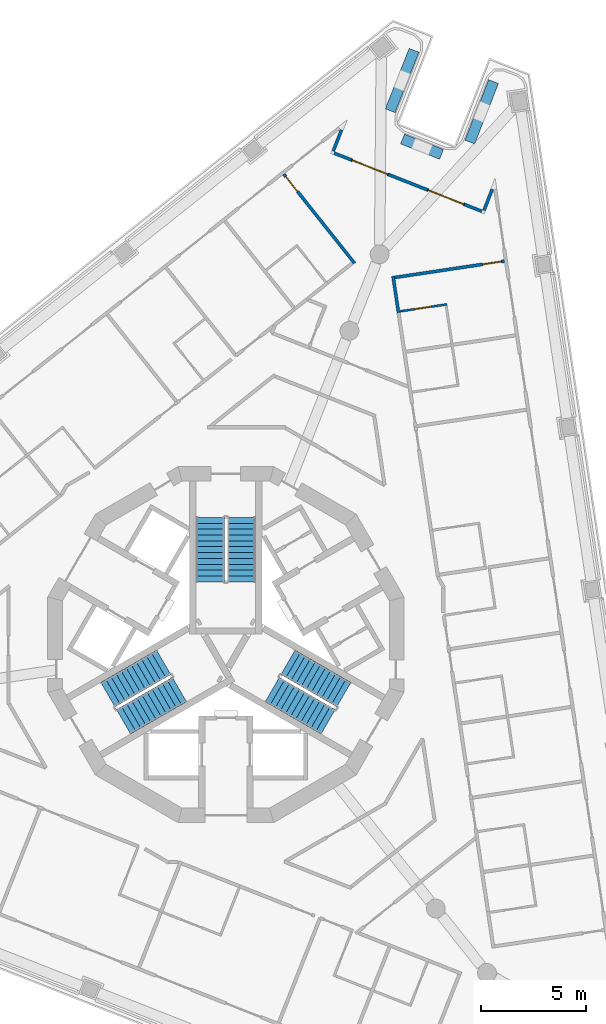
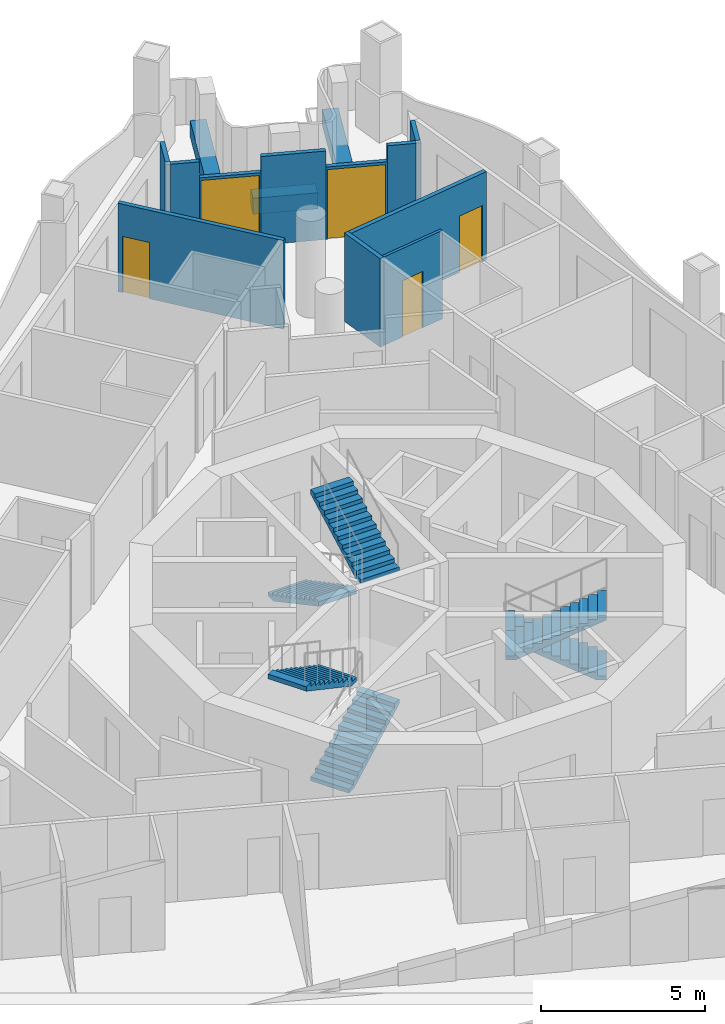
# One storey, part 9 of 16: 14 walls, 6 stair flights, 5 doors, 5 openings, 3 elements without a shape of their own.
"""IFC4 building model written with IfcOpenShell, lengths in metres."""

from ifc_helpers import new_model, si_unit, direction, frame, frame_2d, origin, place, context, subcontext, project, spatial, polyline, rectangle, outline, extrude, material, layer, layer_set, type_object, element, fill, aggregate, save


model = new_model("IFC4")

# Units and contexts
model_context = context("Model", 3, precision=1e-05, world=origin(), true_north=direction((0.0, 1.0)))
body_context = subcontext(model_context, "Body", "Model", "MODEL_VIEW")
ifc_project = project(units=[si_unit("LENGTHUNIT", "METRE"), si_unit("AREAUNIT", "SQUARE_METRE"), si_unit("VOLUMEUNIT", "CUBIC_METRE"), si_unit("PLANEANGLEUNIT", "RADIAN"), si_unit("MASSUNIT", "GRAM", prefix="KILO")], contexts=[model_context])

# Site, building, storey
site_placement = place(None, origin())
site = spatial("IfcSite", under=ifc_project, at=site_placement, CompositionType="ELEMENT")
building_placement = place(site_placement, origin())
building = spatial("IfcBuilding", under=site, at=building_placement, Name="Trine Commons Tower", CompositionType="ELEMENT")
storey_placement = place(building_placement, frame((0.0, 0.0, 219.60009765625)))
storey = spatial("IfcBuildingStorey", under=building, at=storey_placement, Name="L57", CompositionType="ELEMENT", Elevation=219.60009765625)

# Walls
ifc_material_1 = material(Name="Aluminium-framed insulated wall panel", Category="aluminium")
ifc_layer_1 = layer(ifc_material_1, 0.14990234375)
ifc_layer_set_1 = layer_set([ifc_layer_1], Name="Aluminium-framed insulated wall panel")
wall_type_1 = type_object("IfcWallType", Name="Glazed frame wall 150, EI 60", PredefinedType="SOLIDWALL", material=ifc_layer_set_1)
wall_1_placement = place(storey_placement, frame((85.575927734375, 87.201171875, 0.0), z_axis=(0.0, 0.0, 1.0), x_axis=(-0.366472142006, -0.930429024232, 0.0)))
element("IfcWall", 1, at=wall_1_placement, inside=storey, type_object=wall_type_1, Name="Glazed frame wall R2", PredefinedType="SOLIDWALL", context=body_context, shape_type="SweptSolid", body=[
    extrude(outline(polyline([(0.1494140625, 0.074951171875), (0.1494140625, -0.074951171875), (1.235107421875, -0.074951171875), (1.235107421875, 0.074951171875), (0.1494140625, 0.074951171875)])), origin(), (0.0, 0.0, 1.0), 3.2998046875),
])
wall_2_placement = place(storey_placement, frame((85.063232421875, 85.9951171875, 0.0), z_axis=(0.0, 0.0, 1.0), x_axis=(0.930433620143, -0.366460473323, 0.0)))
element("IfcWall", 2, at=wall_2_placement, inside=storey, type_object=wall_type_1, Name="Glazed frame wall P1.1", PredefinedType="SOLIDWALL", context=body_context, shape_type="SweptSolid", body=[
    extrude(outline(polyline([(0.110107421875, -0.074951171875), (1.0, -0.074951171875), (1.0, 0.074951171875), (0.110107421875, 0.074951171875), (0.110107421875, -0.074951171875)])), origin(), (0.0, 0.0, 1.0), 3.2998046875),
])

# Wall, opening, door
wall_3_placement = place(storey_placement, frame((85.99365234375, 85.628662109375, 0.0), z_axis=(0.0, 0.0, 1.0), x_axis=(0.930387146689, -0.366578446279, 0.0)))
wall_3 = element("IfcWall", 3, at=wall_3_placement, inside=storey, type_object=wall_type_1, Name="Glazed frame wall P1.2", PredefinedType="SOLIDWALL", context=body_context, shape_type="SweptSolid", body=[
    extrude(outline(polyline([(0.0, -0.074951171875), (1.89990234375, -0.074951171875), (1.89990234375, 0.074951171875), (0.0, 0.074951171875), (0.0, -0.074951171875)])), origin(), (0.0, 0.0, 1.0), 2.699951171875),
])
opening_1_placement = place(wall_3_placement, frame((0.050048828125, 0.0, 0.0)))
opening_1 = element("IfcOpeningElement", 4, at=opening_1_placement, cuts=wall_3, Name="Opening BD-6P1-01", PredefinedType="OPENING", context=body_context, shape_type="SweptSolid", body=[
    extrude(rectangle(XDim=1.800048828125, YDim=2.60009765625, at=frame_2d((0.89990234375, 1.300048828125))), frame((0.0, 0.0849609375, 0.0), z_axis=(0.0, -1.0, 0.0), x_axis=(1.0, 0.0, 0.0)), (0.0, 0.0, 1.0), 0.169921875),
])
ifc_material_2 = material(Name="Anodised aluminium frame with double glazing", Category="aluminium")
door_type_1 = type_object("IfcDoorType", Name="Sliding loggia door 1800x2600", OperationType="SLIDING_TO_LEFT", PredefinedType="DOOR", material=ifc_material_2)
door_1_placement = place(opening_1_placement, origin())
door_1 = element("IfcDoor", 5, at=door_1_placement, inside=storey, type_object=door_type_1, Name="Loggia door P1 1", OperationType="SLIDING_TO_LEFT", OverallHeight=2.60009765625, OverallWidth=1.800048828125, PredefinedType="DOOR", context=body_context, shape_type="SweptSolid", body=[
    extrude(rectangle(XDim=1.800048828125, YDim=2.60009765625, at=frame_2d((0.89990234375, 1.300048828125))), frame((0.0, 0.02490234375, 0.0), z_axis=(0.0, -1.0, 0.0), x_axis=(1.0, 0.0, 0.0)), (0.0, 0.0, 1.0), 0.050048828125),
])
fill(opening_1, door_1)

# Wall
wall_4_placement = place(storey_placement, frame((87.761474609375, 84.93212890625, 0.0), z_axis=(0.0, 0.0, 1.0), x_axis=(0.930433620143, -0.366460473323, 0.0)))
element("IfcWall", 6, at=wall_4_placement, inside=storey, type_object=wall_type_1, Name="Glazed frame wall P1.3", PredefinedType="SOLIDWALL", context=body_context, shape_type="SweptSolid", body=[
    extrude(outline(polyline([(0.0, -0.074951171875), (2.0, -0.074951171875), (2.0, 0.074951171875), (0.0, 0.074951171875), (0.0, -0.074951171875)])), origin(), (0.0, 0.0, 1.0), 3.2998046875),
])

# Wall, opening, door
wall_5_placement = place(storey_placement, frame((89.622314453125, 84.19921875, 0.0), z_axis=(0.0, 0.0, 1.0), x_axis=(0.930387146689, -0.366578446279, 0.0)))
wall_5 = element("IfcWall", 7, at=wall_5_placement, inside=storey, type_object=wall_type_1, Name="Glazed frame wall P1.4", PredefinedType="SOLIDWALL", context=body_context, shape_type="SweptSolid", body=[
    extrude(outline(polyline([(0.0, -0.074951171875), (1.89990234375, -0.074951171875), (1.89990234375, 0.074951171875), (0.0, 0.074951171875), (0.0, -0.074951171875)])), origin(), (0.0, 0.0, 1.0), 2.699951171875),
])
opening_2_placement = place(wall_5_placement, frame((0.050048828125, 0.0, 0.0)))
opening_2 = element("IfcOpeningElement", 8, at=opening_2_placement, cuts=wall_5, Name="Opening BD-6P1-02", PredefinedType="OPENING", context=body_context, shape_type="SweptSolid", body=[
    extrude(rectangle(XDim=1.800048828125, YDim=2.60009765625, at=frame_2d((0.89990234375, 1.300048828125))), frame((0.0, 0.0849609375, 0.0), z_axis=(0.0, -1.0, 0.0), x_axis=(1.0, 0.0, 0.0)), (0.0, 0.0, 1.0), 0.169921875),
])
door_2_placement = place(opening_2_placement, origin())
door_2 = element("IfcDoor", 9, at=door_2_placement, inside=storey, type_object=door_type_1, Name="Loggia door P1 2", OperationType="SLIDING_TO_LEFT", OverallHeight=2.60009765625, OverallWidth=1.800048828125, PredefinedType="DOOR", context=body_context, shape_type="SweptSolid", body=[
    extrude(rectangle(XDim=1.800048828125, YDim=2.60009765625, at=frame_2d((0.89990234375, 1.300048828125))), frame((0.0, 0.02490234375, 0.0), z_axis=(0.0, -1.0, 0.0), x_axis=(1.0, 0.0, 0.0)), (0.0, 0.0, 1.0), 0.050048828125),
])
fill(opening_2, door_2)

# Walls
wall_6_placement = place(storey_placement, frame((91.39013671875, 83.502685546875, 0.0), z_axis=(0.0, 0.0, 1.0), x_axis=(0.930433620143, -0.366460473323, 0.0)))
element("IfcWall", 10, at=wall_6_placement, inside=storey, type_object=wall_type_1, Name="Glazed frame wall P1.5", PredefinedType="SOLIDWALL", context=body_context, shape_type="SweptSolid", body=[
    extrude(outline(polyline([(0.889892578125, 0.074951171875), (0.0, 0.074951171875), (0.0, -0.074951171875), (0.889892578125, -0.074951171875), (0.889892578125, 0.074951171875)])), origin(), (0.0, 0.0, 1.0), 3.2998046875),
])
wall_7_placement = place(storey_placement, frame((92.275146484375, 83.11669921875, 0.0), z_axis=(0.0, 0.0, 1.0), x_axis=(0.366534042844, 0.9304046407, 0.0)))
element("IfcWall", 11, at=wall_7_placement, inside=storey, type_object=wall_type_1, Name="Glazed frame wall R4", PredefinedType="SOLIDWALL", context=body_context, shape_type="SweptSolid", body=[
    extrude(outline(polyline([(0.110107421875, 0.074951171875), (0.110107421875, -0.074951171875), (1.19580078125, -0.074951171875), (1.19580078125, 0.074951171875), (0.110107421875, 0.074951171875)])), origin(), (0.0, 0.0, 1.0), 3.2998046875),
])
ifc_material_3 = material(Name="Planter trough, precast concrete C40/50", Category="concrete")
ifc_layer_2 = layer(ifc_material_3, 0.5)
ifc_layer_set_2 = layer_set([ifc_layer_2], Name="Planter trough, precast concrete C40/50")
wall_type_2 = type_object("IfcWallType", Name="Planter trough 500x600", PredefinedType="PARAPET", material=ifc_layer_set_2)
wall_8_placement = place(storey_placement, frame((88.97998046875, 90.86328125, 0.0), z_axis=(0.0, 0.0, 1.0), x_axis=(-0.366456340628, -0.930435247835, 0.0)))
element("IfcWall", 12, at=wall_8_placement, inside=storey, type_object=wall_type_2, Name="Planter 4", PredefinedType="PARAPET", context=body_context, shape_type="SweptSolid", body=[
    extrude(rectangle(XDim=3.099853515625, YDim=0.5, at=frame_2d((1.5498046875, 0.0))), origin(), (0.0, 0.0, 1.0), 0.599853515625),
])
wall_9_placement = place(storey_placement, frame((88.430419921875, 86.630126953125, 0.0), z_axis=(0.0, 0.0, 1.0), x_axis=(0.930417223886, -0.366502100263, 0.0)))
element("IfcWall", 13, at=wall_9_placement, inside=storey, type_object=wall_type_2, Name="Planter 5", PredefinedType="PARAPET", context=body_context, shape_type="SweptSolid", body=[
    extrude(rectangle(XDim=1.999755859375, YDim=0.5, at=frame_2d((1.0, 0.0))), origin(), (0.0, 0.0, 1.0), 0.599853515625),
])
wall_10_placement = place(storey_placement, frame((91.639892578125, 86.483642578125, 0.0), z_axis=(0.0, 0.0, 1.0), x_axis=(0.366524518382, 0.930408392817, 0.0)))
element("IfcWall", 14, at=wall_10_placement, inside=storey, type_object=wall_type_2, Name="Planter 6", PredefinedType="PARAPET", context=body_context, shape_type="SweptSolid", body=[
    extrude(rectangle(XDim=3.10009765625, YDim=0.5, at=frame_2d((1.550048828125, 0.0))), origin(), (0.0, 0.0, 1.0), 0.599853515625),
])

# Wall, opening, door
ifc_material_4 = material(Name="Gypsum plasterboard on steel stud", Category="steel")
ifc_layer_3 = layer(ifc_material_4, 0.14990234375)
ifc_layer_set_3 = layer_set([ifc_layer_3], Name="Gypsum plasterboard on steel stud")
wall_type_3 = type_object("IfcWallType", Name="Unit and corridor wall 150 mm, EI 60", PredefinedType="PARTITIONING", material=ifc_layer_set_3)
wall_11_placement = place(storey_placement, frame((82.761962890625, 84.94970703125, 0.0), z_axis=(0.0, 0.0, 1.0), x_axis=(0.622457280045, -0.782653776915, 0.0)))
wall_11 = element("IfcWall", 15, at=wall_11_placement, inside=storey, type_object=wall_type_3, Name="Partition 061", PredefinedType="PARTITIONING", context=body_context, shape_type="SweptSolid", body=[
    extrude(rectangle(XDim=5.4345703125, YDim=0.14990234375, at=frame_2d((2.71728515625, 0.0))), origin(), (0.0, 0.0, 1.0), 3.2998046875),
])
opening_3_placement = place(wall_11_placement, frame((0.14990234375, 0.0, 0.0)))
opening_3 = element("IfcOpeningElement", 16, at=opening_3_placement, cuts=wall_11, Name="Opening D-6C11", PredefinedType="OPENING", context=body_context, shape_type="SweptSolid", body=[
    extrude(rectangle(XDim=0.89990234375, YDim=2.10009765625, at=frame_2d((0.449951171875, 1.050048828125))), frame((0.0, 0.0849609375, 0.0), z_axis=(0.0, -1.0, 0.0), x_axis=(1.0, 0.0, 0.0)), (0.0, 0.0, 1.0), 0.169921875),
])
ifc_material_5 = material(Name="Timber fire door set", Category="wood")
door_type_2 = type_object("IfcDoorType", Name="Bedroom door 900 x 2100, FD30S", OperationType="NOTDEFINED", PredefinedType="DOOR", material=ifc_material_5)
door_3_placement = place(opening_3_placement, frame((0.89990234375, 0.0, 0.0), z_axis=(0.0, 0.0, 1.0), x_axis=(-1.0, 0.0, 0.0)))
door_3 = element("IfcDoor", 17, at=door_3_placement, inside=storey, type_object=door_type_2, Name="Door D-6C11", OperationType="SINGLE_SWING_RIGHT", OverallHeight=2.10009765625, OverallWidth=0.89990234375, PredefinedType="DOOR", context=body_context, shape_type="SweptSolid", body=[
    extrude(rectangle(XDim=0.89990234375, YDim=2.10009765625, at=frame_2d((0.449951171875, 1.050048828125))), frame((0.0, 0.02490234375, 0.0), z_axis=(0.0, -1.0, 0.0), x_axis=(1.0, 0.0, 0.0)), (0.0, 0.0, 1.0), 0.050048828125),
])
fill(opening_3, door_3)

# Wall
wall_12_placement = place(storey_placement, frame((87.97900390625, 80.084228515625, 0.0), z_axis=(0.0, 0.0, 1.0), x_axis=(0.147576156068, -0.989050695445, 0.0)))
element("IfcWall", 18, at=wall_12_placement, inside=storey, type_object=wall_type_3, Name="Partition 083", PredefinedType="PARTITIONING", context=body_context, shape_type="SweptSolid", body=[
    extrude(rectangle(XDim=1.76513671875, YDim=0.14990234375, at=frame_2d((0.882568359375, 0.0))), origin(), (0.0, 0.0, 1.0), 3.2998046875),
])

# Wall, opening, door
wall_13_placement = place(storey_placement, frame((88.064208984375, 80.02099609375, 0.0), z_axis=(0.0, 0.0, 1.0), x_axis=(0.988994889639, 0.147949681543, 0.0)))
wall_13 = element("IfcWall", 19, at=wall_13_placement, inside=storey, type_object=wall_type_3, Name="Partition 084", PredefinedType="PARTITIONING", context=body_context, shape_type="SweptSolid", body=[
    extrude(rectangle(XDim=5.285400390625, YDim=0.14990234375, at=frame_2d((2.642578125, 0.0))), origin(), (0.0, 0.0, 1.0), 3.2998046875),
])
opening_4_placement = place(wall_13_placement, frame((4.2353515625, 0.0, 0.0)))
opening_4 = element("IfcOpeningElement", 20, at=opening_4_placement, cuts=wall_13, Name="Opening D-6C12", PredefinedType="OPENING", context=body_context, shape_type="SweptSolid", body=[
    extrude(rectangle(XDim=0.89990234375, YDim=2.10009765625, at=frame_2d((0.449951171875, 1.050048828125))), frame((0.0, 0.0849609375, 0.0), z_axis=(0.0, -1.0, 0.0), x_axis=(1.0, 0.0, 0.0)), (0.0, 0.0, 1.0), 0.169921875),
])
door_4_placement = place(opening_4_placement, frame((0.89990234375, 0.0, 0.0), z_axis=(0.0, 0.0, 1.0), x_axis=(-1.0, 0.0, 0.0)))
door_4 = element("IfcDoor", 21, at=door_4_placement, inside=storey, type_object=door_type_2, Name="Door D-6C12", OperationType="SINGLE_SWING_LEFT", OverallHeight=2.10009765625, OverallWidth=0.89990234375, PredefinedType="DOOR", context=body_context, shape_type="SweptSolid", body=[
    extrude(rectangle(XDim=0.89990234375, YDim=2.10009765625, at=frame_2d((0.449951171875, 1.050048828125))), frame((0.0, 0.02490234375, 0.0), z_axis=(0.0, -1.0, 0.0), x_axis=(1.0, 0.0, 0.0)), (0.0, 0.0, 1.0), 0.050048828125),
])
fill(opening_4, door_4)

ifc_layer_4 = layer(ifc_material_4, 0.10009765625)
ifc_layer_set_4 = layer_set([ifc_layer_4], Name="Gypsum plasterboard on steel stud")
wall_type_4 = type_object("IfcWallType", Name="Unit partition 100 mm, no rating", PredefinedType="PARTITIONING", material=ifc_layer_set_4)
wall_14_placement = place(storey_placement, frame((88.30615234375, 78.403076171875, 0.0), z_axis=(0.0, 0.0, 1.0), x_axis=(0.989007860101, 0.147862952286, 0.0)))
wall_14 = element("IfcWall", 22, at=wall_14_placement, inside=storey, type_object=wall_type_4, Name="Partition 086", PredefinedType="PARTITIONING", context=body_context, shape_type="SweptSolid", body=[
    extrude(rectangle(XDim=2.275146484375, YDim=0.10009765625, at=frame_2d((1.1376953125, 0.0))), origin(), (0.0, 0.0, 1.0), 3.2998046875),
])
opening_5_placement = place(wall_14_placement, frame((0.712646484375, 0.0, 0.0)))
opening_5 = element("IfcOpeningElement", 23, at=opening_5_placement, cuts=wall_14, Name="Opening D-6C35", PredefinedType="OPENING", context=body_context, shape_type="SweptSolid", body=[
    extrude(rectangle(XDim=0.800048828125, YDim=2.10009765625, at=frame_2d((0.39990234375, 1.050048828125))), frame((0.0, 0.06005859375, 0.0), z_axis=(0.0, -1.0, 0.0), x_axis=(1.0, 0.0, 0.0)), (0.0, 0.0, 1.0), 0.1201171875),
])
ifc_material_6 = material(Name="Painted timber", Category="wood")
door_type_3 = type_object("IfcDoorType", Name="Internal door 800 x 2100, NOT RATED", OperationType="NOTDEFINED", PredefinedType="DOOR", material=ifc_material_6)
door_5_placement = place(opening_5_placement, origin())
door_5 = element("IfcDoor", 24, at=door_5_placement, inside=storey, type_object=door_type_3, Name="Door D-6C35", OperationType="SINGLE_SWING_LEFT", OverallHeight=2.10009765625, OverallWidth=0.800048828125, PredefinedType="DOOR", context=body_context, shape_type="SweptSolid", body=[
    extrude(rectangle(XDim=0.800048828125, YDim=2.10009765625, at=frame_2d((0.39990234375, 1.050048828125))), frame((0.0, 0.02490234375, 0.0), z_axis=(0.0, -1.0, 0.0), x_axis=(1.0, 0.0, 0.0)), (0.0, 0.0, 1.0), 0.050048828125),
])
fill(opening_5, door_5)

# Stair, stair flights
ifc_material_7 = material(Name="Concrete C50/60", Category="concrete")
stair_type = type_object("IfcStairType", Name="Exit stair, dog-leg, 24 risers of 150 mm", PredefinedType="HALF_TURN_STAIR", material=ifc_material_7)
stair_1_placement = place(storey_placement, origin())
stair_1 = element("IfcStair", 25, at=stair_1_placement, inside=storey, type_object=stair_type, Name="L57 Exit stair ST1C", PredefinedType="HALF_TURN_STAIR")
stair_flight_type = type_object("IfcStairFlightType", Name="Stair flight, 1350 wide, 12 risers of 150 mm", PredefinedType="STRAIGHT", material=ifc_material_7)
stair_flight_1_placement = place(storey_placement, frame((79.25, 68.570556640625, 0.0), z_axis=(0.0, 0.0, 1.0), x_axis=(0.0, -1.0, 0.0)))
stair_flight_1 = element("IfcStairFlight", 26, at=stair_flight_1_placement, type_object=stair_flight_type, Name="ST1C flight 1", NumberOfRisers=12, NumberOfTreads=11, PredefinedType="STRAIGHT", RiserHeight=0.15, TreadLength=0.28, context=body_context, shape_type="SweptSolid", body=[
    extrude(outline(polyline([(0.0, 0.0), (0.0, 0.14990234375), (0.280029296875, 0.14990234375), (0.280029296875, 0.300048828125), (0.56005859375, 0.300048828125), (0.56005859375, 0.449951171875), (0.840087890625, 0.449951171875), (0.840087890625, 0.60009765625), (1.1201171875, 0.60009765625), (1.1201171875, 0.75), (1.39990234375, 0.75), (1.39990234375, 0.89990234375), (1.679931640625, 0.89990234375), (1.679931640625, 1.050048828125), (1.9599609375, 1.050048828125), (1.9599609375, 1.199951171875), (2.239990234375, 1.199951171875), (2.239990234375, 1.35009765625), (2.52001953125, 1.35009765625), (2.52001953125, 1.5), (2.800048828125, 1.5), (2.800048828125, 1.64990234375), (3.080078125, 1.64990234375), (3.080078125, 1.800048828125), (3.080078125, 1.47998046875), (0.3173828125, 0.0), (0.0, 0.0)])), frame((0.0, 0.675048828125, 0.0), z_axis=(0.0, -1.0, 0.0), x_axis=(1.0, 0.0, 0.0)), (0.0, 0.0, 1.0), 1.35009765625),
])
stair_flight_2_placement = place(storey_placement, frame((80.75, 65.490478515625, 1.7998046875), z_axis=(0.0, 0.0, 1.0), x_axis=(0.0, 1.0, 0.0)))
stair_flight_2 = element("IfcStairFlight", 27, at=stair_flight_2_placement, type_object=stair_flight_type, Name="ST1C flight 2", NumberOfRisers=12, NumberOfTreads=11, PredefinedType="STRAIGHT", RiserHeight=0.15, TreadLength=0.28, context=body_context, shape_type="SweptSolid", body=[
    extrude(outline(polyline([(0.0, 0.0), (0.0, 0.14990234375), (0.280029296875, 0.14990234375), (0.280029296875, 0.300048828125), (0.56005859375, 0.300048828125), (0.56005859375, 0.449951171875), (0.840087890625, 0.449951171875), (0.840087890625, 0.60009765625), (1.1201171875, 0.60009765625), (1.1201171875, 0.75), (1.39990234375, 0.75), (1.39990234375, 0.89990234375), (1.679931640625, 0.89990234375), (1.679931640625, 1.050048828125), (1.9599609375, 1.050048828125), (1.9599609375, 1.199951171875), (2.239990234375, 1.199951171875), (2.239990234375, 1.35009765625), (2.52001953125, 1.35009765625), (2.52001953125, 1.5), (2.800048828125, 1.5), (2.800048828125, 1.64990234375), (3.080078125, 1.64990234375), (3.080078125, 1.800048828125), (3.080078125, 1.47998046875), (0.3173828125, 0.0), (0.0, 0.0)])), frame((0.0, 0.675048828125, 0.0), z_axis=(0.0, -1.0, 0.0), x_axis=(1.0, 0.0, 0.0)), (0.0, 0.0, 1.0), 1.35009765625),
])
aggregate(stair_1, [stair_flight_1, stair_flight_2])

stair_2_placement = place(storey_placement, origin())
stair_2 = element("IfcStair", 28, at=stair_2_placement, inside=storey, type_object=stair_type, Name="L57 Exit stair ST2C", PredefinedType="HALF_TURN_STAIR")
stair_flight_3_placement = place(storey_placement, frame((75.11767578125, 58.815185546875, 0.0), z_axis=(0.0, 0.0, 1.0), x_axis=(0.866025403784, 0.5, 0.0)))
stair_flight_3 = element("IfcStairFlight", 29, at=stair_flight_3_placement, type_object=stair_flight_type, Name="ST2C flight 1", NumberOfRisers=12, NumberOfTreads=11, PredefinedType="STRAIGHT", RiserHeight=0.15, TreadLength=0.28, context=body_context, shape_type="SweptSolid", body=[
    extrude(outline(polyline([(0.0, 0.0), (0.0, 0.14990234375), (0.280029296875, 0.14990234375), (0.280029296875, 0.300048828125), (0.56005859375, 0.300048828125), (0.56005859375, 0.449951171875), (0.840087890625, 0.449951171875), (0.840087890625, 0.60009765625), (1.1201171875, 0.60009765625), (1.1201171875, 0.75), (1.39990234375, 0.75), (1.39990234375, 0.89990234375), (1.679931640625, 0.89990234375), (1.679931640625, 1.050048828125), (1.9599609375, 1.050048828125), (1.9599609375, 1.199951171875), (2.239990234375, 1.199951171875), (2.239990234375, 1.35009765625), (2.52001953125, 1.35009765625), (2.52001953125, 1.5), (2.800048828125, 1.5), (2.800048828125, 1.64990234375), (3.080078125, 1.64990234375), (3.080078125, 1.800048828125), (3.080078125, 1.47998046875), (0.3173828125, 0.0), (0.0, 0.0)])), frame((0.0, 0.675048828125, 0.0), z_axis=(0.0, -1.0, 0.0), x_axis=(1.0, 0.0, 0.0)), (0.0, 0.0, 1.0), 1.35009765625),
])
stair_flight_4_placement = place(storey_placement, frame((77.03515625, 61.654296875, 1.7998046875), z_axis=(0.0, 0.0, 1.0), x_axis=(-0.866025403784, -0.5, 0.0)))
stair_flight_4 = element("IfcStairFlight", 30, at=stair_flight_4_placement, type_object=stair_flight_type, Name="ST2C flight 2", NumberOfRisers=12, NumberOfTreads=11, PredefinedType="STRAIGHT", RiserHeight=0.15, TreadLength=0.28, context=body_context, shape_type="SweptSolid", body=[
    extrude(outline(polyline([(0.0, 0.0), (0.0, 0.14990234375), (0.280029296875, 0.14990234375), (0.280029296875, 0.300048828125), (0.56005859375, 0.300048828125), (0.56005859375, 0.449951171875), (0.840087890625, 0.449951171875), (0.840087890625, 0.60009765625), (1.1201171875, 0.60009765625), (1.1201171875, 0.75), (1.39990234375, 0.75), (1.39990234375, 0.89990234375), (1.679931640625, 0.89990234375), (1.679931640625, 1.050048828125), (1.9599609375, 1.050048828125), (1.9599609375, 1.199951171875), (2.239990234375, 1.199951171875), (2.239990234375, 1.35009765625), (2.52001953125, 1.35009765625), (2.52001953125, 1.5), (2.800048828125, 1.5), (2.800048828125, 1.64990234375), (3.080078125, 1.64990234375), (3.080078125, 1.800048828125), (3.080078125, 1.47998046875), (0.3173828125, 0.0), (0.0, 0.0)])), frame((0.0, 0.675048828125, 0.0), z_axis=(0.0, -1.0, 0.0), x_axis=(1.0, 0.0, 0.0)), (0.0, 0.0, 1.0), 1.35009765625),
])
aggregate(stair_2, [stair_flight_3, stair_flight_4])

stair_3_placement = place(storey_placement, origin())
stair_3 = element("IfcStair", 31, at=stair_3_placement, inside=storey, type_object=stair_type, Name="L57 Exit stair ST3C", PredefinedType="HALF_TURN_STAIR")
stair_flight_5_placement = place(storey_placement, frame((85.63232421875, 60.1142578125, 0.0), z_axis=(0.0, 0.0, 1.0), x_axis=(-0.866025403784, 0.5, 0.0)))
stair_flight_5 = element("IfcStairFlight", 32, at=stair_flight_5_placement, type_object=stair_flight_type, Name="ST3C flight 1", NumberOfRisers=12, NumberOfTreads=11, PredefinedType="STRAIGHT", RiserHeight=0.15, TreadLength=0.28, context=body_context, shape_type="SweptSolid", body=[
    extrude(outline(polyline([(0.0, 0.0), (0.0, 0.14990234375), (0.280029296875, 0.14990234375), (0.280029296875, 0.300048828125), (0.56005859375, 0.300048828125), (0.56005859375, 0.449951171875), (0.840087890625, 0.449951171875), (0.840087890625, 0.60009765625), (1.1201171875, 0.60009765625), (1.1201171875, 0.75), (1.39990234375, 0.75), (1.39990234375, 0.89990234375), (1.679931640625, 0.89990234375), (1.679931640625, 1.050048828125), (1.9599609375, 1.050048828125), (1.9599609375, 1.199951171875), (2.239990234375, 1.199951171875), (2.239990234375, 1.35009765625), (2.52001953125, 1.35009765625), (2.52001953125, 1.5), (2.800048828125, 1.5), (2.800048828125, 1.64990234375), (3.080078125, 1.64990234375), (3.080078125, 1.800048828125), (3.080078125, 1.47998046875), (0.3173828125, 0.0), (0.0, 0.0)])), frame((0.0, 0.675048828125, 0.0), z_axis=(0.0, -1.0, 0.0), x_axis=(1.0, 0.0, 0.0)), (0.0, 0.0, 1.0), 1.35009765625),
])
stair_flight_6_placement = place(storey_placement, frame((82.21484375, 60.355224609375, 1.7998046875), z_axis=(0.0, 0.0, 1.0), x_axis=(0.866025403784, -0.5, 0.0)))
stair_flight_6 = element("IfcStairFlight", 33, at=stair_flight_6_placement, type_object=stair_flight_type, Name="ST3C flight 2", NumberOfRisers=12, NumberOfTreads=11, PredefinedType="STRAIGHT", RiserHeight=0.15, TreadLength=0.28, context=body_context, shape_type="SweptSolid", body=[
    extrude(outline(polyline([(0.0, 0.0), (0.0, 0.14990234375), (0.280029296875, 0.14990234375), (0.280029296875, 0.300048828125), (0.56005859375, 0.300048828125), (0.56005859375, 0.449951171875), (0.840087890625, 0.449951171875), (0.840087890625, 0.60009765625), (1.1201171875, 0.60009765625), (1.1201171875, 0.75), (1.39990234375, 0.75), (1.39990234375, 0.89990234375), (1.679931640625, 0.89990234375), (1.679931640625, 1.050048828125), (1.9599609375, 1.050048828125), (1.9599609375, 1.199951171875), (2.239990234375, 1.199951171875), (2.239990234375, 1.35009765625), (2.52001953125, 1.35009765625), (2.52001953125, 1.5), (2.800048828125, 1.5), (2.800048828125, 1.64990234375), (3.080078125, 1.64990234375), (3.080078125, 1.800048828125), (3.080078125, 1.47998046875), (0.3173828125, 0.0), (0.0, 0.0)])), frame((0.0, 0.675048828125, 0.0), z_axis=(0.0, -1.0, 0.0), x_axis=(1.0, 0.0, 0.0)), (0.0, 0.0, 1.0), 1.35009765625),
])
aggregate(stair_3, [stair_flight_5, stair_flight_6])

save(model, "model.ifc")
